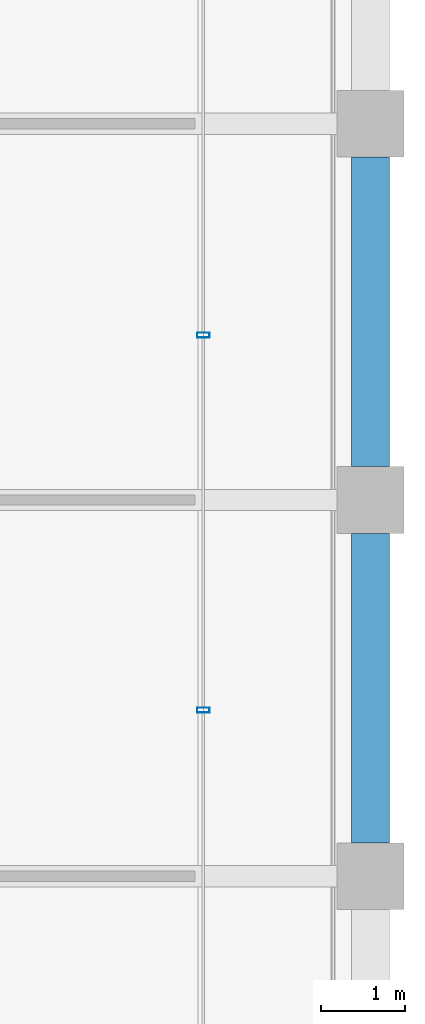
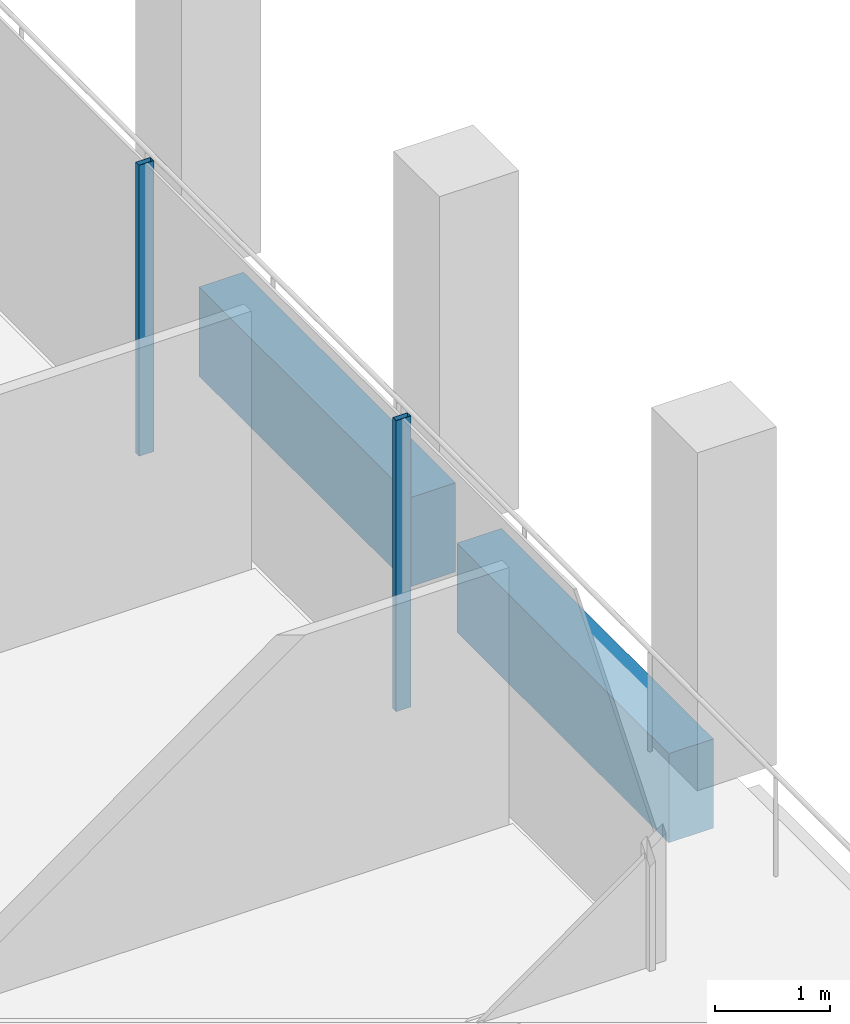
# One storey, part 15 of 30: 2 beams, 2 members, 1 element without a shape of its own.
"""IFC4 building model written with IfcOpenShell, lengths in metres."""

from ifc_helpers import new_model, si_unit, direction, frame, origin, origin_2d, place, context, subcontext, project, spatial, rectangle, hollow_rectangle, extrude, material, material_profile, profile_set, type_object, element, aggregate, save


model = new_model("IFC4")

# Units and contexts
model_context = context("Model", 3, precision=1e-05, world=origin(), true_north=direction((0.0, 1.0)))
body_context = subcontext(model_context, "Body", "Model", "MODEL_VIEW")
ifc_project = project(units=[si_unit("LENGTHUNIT", "METRE"), si_unit("AREAUNIT", "SQUARE_METRE"), si_unit("VOLUMEUNIT", "CUBIC_METRE"), si_unit("PLANEANGLEUNIT", "RADIAN"), si_unit("MASSUNIT", "GRAM", prefix="KILO")], contexts=[model_context])

# Site, building, storey
site_placement = place(None, origin())
site = spatial("IfcSite", under=ifc_project, at=site_placement, CompositionType="ELEMENT")
building_placement = place(site_placement, origin())
building = spatial("IfcBuilding", under=site, at=building_placement, Name="Altepetl Exchange Towers", CompositionType="ELEMENT")
storey_placement = place(building_placement, frame((0.0, 0.0, 213.60009765625)))
storey = spatial("IfcBuildingStorey", under=building, at=storey_placement, Name="L54", CompositionType="ELEMENT", Elevation=213.60009765625)

# Curtain wall, members
ifc_material_1 = material(Name="Aluminium 6063-T6 glazing", Category="aluminium")
curtain_wall_type = type_object("IfcCurtainWallType", Name="Loggia glazing system", PredefinedType="NOTDEFINED", material=ifc_material_1)
curtain_wall_placement = place(storey_placement, origin())
curtain_wall = element("IfcCurtainWall", 1, at=curtain_wall_placement, inside=storey, type_object=curtain_wall_type, Name="CW1 run", PredefinedType="NOTDEFINED")
ifc_material_2 = material(Name="Aluminium 6063-T6", Category="aluminium")
ifc_material_profile_1 = material_profile(ifc_material_2, hollow_rectangle(XDim=0.06005859375, YDim=0.14990234375, WallThickness=0.0029296875, at=origin_2d()), Name="Mullion 60x150 aluminium")
ifc_profile_set_1 = profile_set([ifc_material_profile_1], Name="Aluminium 6063-T6")
member_type = type_object("IfcMemberType", Name="Mullion 60x150 aluminium", PredefinedType="MULLION", material=ifc_profile_set_1)
member_1_placement = place(storey_placement, frame((70.0, 37.986083984375, 0.0), z_axis=(0.0, 0.0, 1.0), x_axis=(0.0, 1.0, 0.0)))
member_1 = element("IfcMember", 2, at=member_1_placement, type_object=member_type, Name="MU1 mullion", PredefinedType="MULLION", context=body_context, shape_type="SweptSolid", body=[
    extrude(hollow_rectangle(XDim=0.06005859375, YDim=0.14990234375, WallThickness=0.0029296875, at=origin_2d()), origin(), (0.0, 0.0, 1.0), 3.099853515625),
])
member_2_placement = place(storey_placement, frame((70.0, 42.471923828125, 0.0), z_axis=(0.0, 0.0, 1.0), x_axis=(0.0, 1.0, 0.0)))
member_2 = element("IfcMember", 3, at=member_2_placement, type_object=member_type, Name="MU1 mullion", PredefinedType="MULLION", context=body_context, shape_type="SweptSolid", body=[
    extrude(hollow_rectangle(XDim=0.06005859375, YDim=0.14990234375, WallThickness=0.0029296875, at=origin_2d()), origin(), (0.0, 0.0, 1.0), 3.099853515625),
])
aggregate(curtain_wall, [member_1, member_2])

# Beams
ifc_material_3 = material(Name="Concrete C50/60 precast with cantera amarilla facing", Category="concrete")
ifc_material_profile_2 = material_profile(ifc_material_3, rectangle(XDim=0.449951171875, YDim=0.949951171875, at=origin_2d()), Name="450 x 950")
ifc_profile_set_2 = profile_set([ifc_material_profile_2], Name="Concrete C50/60 precast with cantera amarilla facing")
beam_type = type_object("IfcBeamType", Name="Spandrel beam 450x950 cantera amarilla", PredefinedType="SPANDREL", material=ifc_profile_set_2)
for number, where, z_axis, x_axis, name in (
    (4, (72.0, 36.39990234375, -0.625), (0.0, 1.0, 0.0), (-1.0, 0.0, 0.0), "sp:A:L54:013"),
    (5, (72.0, 40.89990234375, -0.625), (0.0, 1.0, 0.0), (-1.0, 0.0, 0.0), "sp:A:L54:014"),
):
    element("IfcBeam", number, at=place(storey_placement, frame(where, z_axis=z_axis, x_axis=x_axis)), inside=storey, type_object=beam_type, Name=name, PredefinedType="SPANDREL", context=body_context, shape_type="SweptSolid", body=[
        extrude(rectangle(XDim=0.449951171875, YDim=0.949951171875, at=origin_2d()), origin(), (0.0, 0.0, 1.0), 3.7001953125),
    ])

save(model, "model.ifc")
